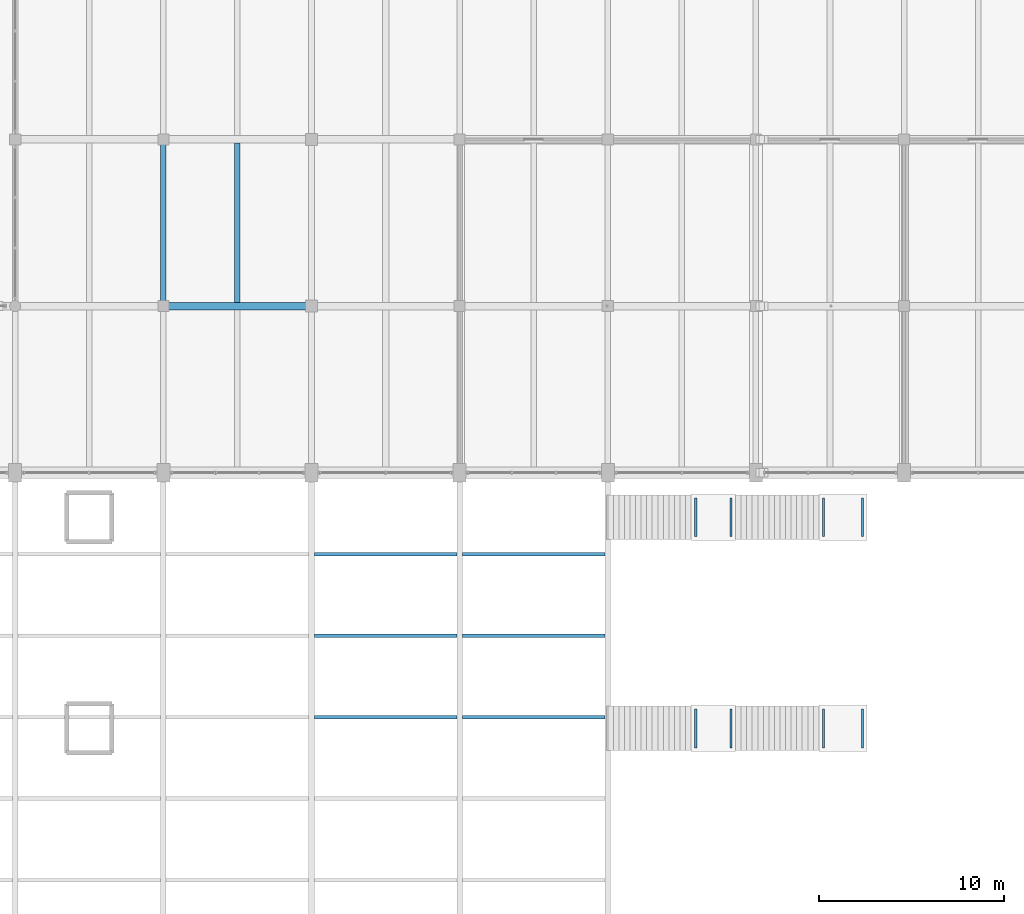
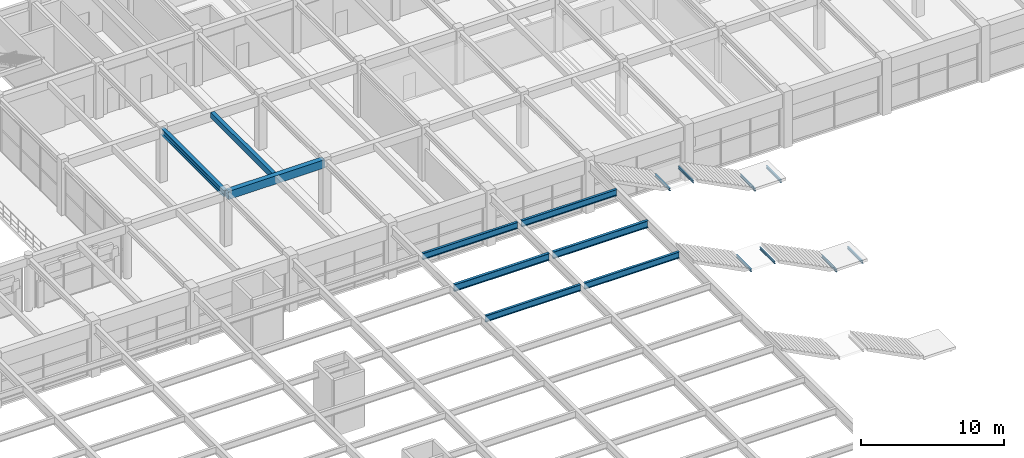
# One storey, part 60 of 144: 17 beams.
"""IFC4 building model written with IfcOpenShell, lengths in metres."""

from ifc_helpers import new_model, si_unit, direction, frame, origin, origin_2d, place, context, subcontext, project, spatial, rectangle, i_section, extrude, material, material_profile, profile_set, type_object, element, save


model = new_model("IFC4")

# Units and contexts
model_context = context("Model", 3, precision=1e-05, world=origin(), true_north=direction((0.0, 1.0)))
body_context = subcontext(model_context, "Body", "Model", "MODEL_VIEW")
ifc_project = project(units=[si_unit("LENGTHUNIT", "METRE"), si_unit("AREAUNIT", "SQUARE_METRE"), si_unit("VOLUMEUNIT", "CUBIC_METRE"), si_unit("PLANEANGLEUNIT", "RADIAN"), si_unit("MASSUNIT", "GRAM", prefix="KILO")], contexts=[model_context])

# Site, building, storey
site_placement = place(None, origin())
site = spatial("IfcSite", under=ifc_project, at=site_placement, CompositionType="ELEMENT")
building_placement = place(site_placement, origin())
building = spatial("IfcBuilding", under=site, at=building_placement, Name="Varnabhumi Central Station", CompositionType="ELEMENT")
storey_placement = place(building_placement, frame((0.0, 0.0, 4.800048828125)))
storey = spatial("IfcBuildingStorey", under=building, at=storey_placement, Name="L01", CompositionType="ELEMENT", Elevation=4.800048828125)

# Beams
ifc_material_1 = material(Name="Structural steel E350", Category="steel")
ifc_material_profile_1 = material_profile(ifc_material_1, i_section(OverallWidth=0.18994140625, OverallDepth=0.550048828125, WebThickness=0.01123046875, FlangeThickness=0.019287109375, FilletRadius=0.01806640625, at=origin_2d()), Name="Structural steel E350", Category="steel")
ifc_profile_set_1 = profile_set([ifc_material_profile_1], Name="Structural steel E350")
beam_type_1 = type_object("IfcBeamType", Name="BM-JST-ISMB550", PredefinedType="JOIST", material=ifc_profile_set_1)
for number, where, z_axis, x_axis, name in (
    (1, (96.155029296875, 66.800048828125, 4.204833984375), (1.0, 0.0, 0.0), (0.0, 1.0, 0.0), "Concourse Stringer 13-14-S7"),
    (2, (96.155029296875, 75.60009765625, 4.204833984375), (1.0, 0.0, 0.0), (0.0, 1.0, 0.0), "Concourse Stringer 13-14-S9"),
    (3, (104.155029296875, 66.800048828125, 4.204833984375), (1.0, 0.0, 0.0), (0.0, 1.0, 0.0), "Concourse Stringer 14-15-S7"),
    (4, (104.155029296875, 75.60009765625, 4.204833984375), (1.0, 0.0, 0.0), (0.0, 1.0, 0.0), "Concourse Stringer 14-15-S9"),
):
    element("IfcBeam", number, at=place(storey_placement, frame(where, z_axis=z_axis, x_axis=x_axis)), inside=storey, type_object=beam_type_1, Name=name, PredefinedType="JOIST", context=body_context, shape_type="SweptSolid", body=[
        extrude(i_section(OverallWidth=0.18994140625, OverallDepth=0.550048828125, WebThickness=0.01123046875, FlangeThickness=0.019287109375, FilletRadius=0.01806640625, at=origin_2d()), origin(), (0.0, 0.0, 1.0), 7.68994140625),
    ])
ifc_material_profile_2 = material_profile(ifc_material_1, i_section(OverallWidth=0.2099609375, OverallDepth=0.60009765625, WebThickness=0.011962890625, FlangeThickness=0.020751953125, FilletRadius=0.02001953125, at=origin_2d()), Name="Structural steel E350", Category="steel")
ifc_profile_set_2 = profile_set([ifc_material_profile_2], Name="Structural steel E350")
beam_type_2 = type_object("IfcBeamType", Name="BM-JST-ISMB600", PredefinedType="JOIST", material=ifc_profile_set_2)
for number, where, z_axis, x_axis, name in (
    (5, (96.155029296875, 71.199951171875, 4.179931640625), (1.0, 0.0, 0.0), (0.0, 1.0, 0.0), "Concourse Stringer 13-14-S8"),
    (6, (104.155029296875, 71.199951171875, 4.179931640625), (1.0, 0.0, 0.0), (0.0, 1.0, 0.0), "Concourse Stringer 14-15-S8"),
):
    element("IfcBeam", number, at=place(storey_placement, frame(where, z_axis=z_axis, x_axis=x_axis)), inside=storey, type_object=beam_type_2, Name=name, PredefinedType="JOIST", context=body_context, shape_type="SweptSolid", body=[
        extrude(i_section(OverallWidth=0.2099609375, OverallDepth=0.60009765625, WebThickness=0.011962890625, FlangeThickness=0.020751953125, FilletRadius=0.02001953125, at=origin_2d()), origin(), (0.0, 0.0, 1.0), 7.68994140625),
    ])
ifc_material_2 = material(Name="Concrete M40", Category="concrete")
ifc_material_profile_3 = material_profile(ifc_material_2, rectangle(XDim=0.300048828125, YDim=0.5, at=origin_2d()), Name="Concrete M40", Category="concrete")
ifc_profile_set_3 = profile_set([ifc_material_profile_3], Name="Concrete M40")
beam_type_3 = type_object("IfcBeamType", Name="BM-RC-300x500", PredefinedType="JOIST", material=ifc_profile_set_3)
beam_1_placement = place(storey_placement, frame((92.0, 89.199951171875, 4.300048828125), z_axis=(0.0, 1.0, 0.0), x_axis=(-1.0, 0.0, 0.0)))
element("IfcBeam", 7, at=beam_1_placement, inside=storey, type_object=beam_type_3, Name="Secondary Joist L01-12/13:L-M", PredefinedType="JOIST", context=body_context, shape_type="SweptSolid", body=[
    extrude(rectangle(XDim=0.300048828125, YDim=0.5, at=origin_2d()), origin(), (0.0, 0.0, 1.0), 8.60009765625),
])
ifc_material_profile_4 = material_profile(ifc_material_2, rectangle(XDim=0.39990234375, YDim=0.699951171875, at=origin_2d()), Name="Concrete M40", Category="concrete")
ifc_profile_set_4 = profile_set([ifc_material_profile_4], Name="Concrete M40")
beam_type_4 = type_object("IfcBeamType", Name="BM-RC-400x700", PredefinedType="BEAM", material=ifc_profile_set_4)
beam_2_placement = place(storey_placement, frame((88.10009765625, 89.0, 4.199951171875), z_axis=(1.0, 0.0, 0.0), x_axis=(0.0, 1.0, 0.0)))
element("IfcBeam", 8, at=beam_2_placement, inside=storey, type_object=beam_type_4, Name="Beam L01-L:12-13", PredefinedType="BEAM", context=body_context, shape_type="SweptSolid", body=[
    extrude(rectangle(XDim=0.39990234375, YDim=0.699951171875, at=origin_2d()), origin(), (0.0, 0.0, 1.0), 7.7998046875),
])
ifc_material_profile_5 = material_profile(ifc_material_1, i_section(OverallWidth=0.110107421875, OverallDepth=0.22509765625, WebThickness=0.006591796875, FlangeThickness=0.01171875, FilletRadius=0.011962890625, at=origin_2d()), Name="Structural steel E350", Category="steel")
ifc_profile_set_5 = profile_set([ifc_material_profile_5], Name="Structural steel E350")
beam_type_5 = type_object("IfcBeamType", Name="BM-STL-ISMB225", PredefinedType="JOIST", material=ifc_profile_set_5)
for number, where, z_axis, x_axis, name in (
    (9, (123.64990234375, 65.14990234375, -0.33251953125), (0.0, 1.0, 0.0), (-1.0, 0.0, 0.0), "Stair Landing Beam P3-p3_l1xfer-1"),
    (10, (125.75, 65.14990234375, -0.33251953125), (0.0, 1.0, 0.0), (-1.0, 0.0, 0.0), "Stair Landing Beam P3-p3_l1xfer-2"),
    (11, (116.75, 65.14990234375, 2.107421875), (0.0, 1.0, 0.0), (-1.0, 0.0, 0.0), "Stair Landing Beam P3-p3_l1mid-1"),
    (12, (118.64990234375, 65.14990234375, 2.107421875), (0.0, 1.0, 0.0), (-1.0, 0.0, 0.0), "Stair Landing Beam P3-p3_l1mid-2"),
):
    element("IfcBeam", number, at=place(storey_placement, frame(where, z_axis=z_axis, x_axis=x_axis)), inside=storey, type_object=beam_type_5, Name=name, PredefinedType="JOIST", context=body_context, shape_type="SweptSolid", body=[
        extrude(i_section(OverallWidth=0.110107421875, OverallDepth=0.22509765625, WebThickness=0.006591796875, FlangeThickness=0.01171875, FilletRadius=0.011962890625, at=origin_2d()), origin(), (0.0, 0.0, 1.0), 2.10009765625),
    ])
for number, where, z_axis, x_axis, name in (
    (13, (123.64990234375, 76.550048828125, -0.33251953125), (0.0, 1.0, 0.0), (-1.0, 0.0, 0.0), "Stair Landing Beam P4-p4_l1xfer-1"),
    (14, (125.75, 76.550048828125, -0.33251953125), (0.0, 1.0, 0.0), (-1.0, 0.0, 0.0), "Stair Landing Beam P4-p4_l1xfer-2"),
    (15, (116.75, 76.550048828125, 2.107421875), (0.0, 1.0, 0.0), (-1.0, 0.0, 0.0), "Stair Landing Beam P4-p4_l1mid-1"),
    (16, (118.64990234375, 76.550048828125, 2.107421875), (0.0, 1.0, 0.0), (-1.0, 0.0, 0.0), "Stair Landing Beam P4-p4_l1mid-2"),
):
    element("IfcBeam", number, at=place(storey_placement, frame(where, z_axis=z_axis, x_axis=x_axis)), inside=storey, type_object=beam_type_5, Name=name, PredefinedType="JOIST", context=body_context, shape_type="SweptSolid", body=[
        extrude(i_section(OverallWidth=0.110107421875, OverallDepth=0.22509765625, WebThickness=0.006591796875, FlangeThickness=0.01171875, FilletRadius=0.011962890625, at=origin_2d()), origin(), (0.0, 0.0, 1.0), 2.099853515625),
    ])
ifc_material_profile_6 = material_profile(ifc_material_1, i_section(OverallWidth=0.300048828125, OverallDepth=0.550048828125, WebThickness=0.014892578125, FlangeThickness=0.029052734375, FilletRadius=0.027099609375, at=origin_2d()), Name="Structural steel E350", Category="steel")
ifc_profile_set_6 = profile_set([ifc_material_profile_6], Name="Structural steel E350")
beam_type_6 = type_object("IfcBeamType", Name="BM-STL-WPB550", PredefinedType="BEAM", material=ifc_profile_set_6)
beam_3_placement = place(storey_placement, frame((88.0, 89.10009765625, 4.27490234375), z_axis=(0.0, 1.0, 0.0), x_axis=(-1.0, 0.0, 0.0)))
element("IfcBeam", 17, at=beam_3_placement, inside=storey, type_object=beam_type_6, Name="Beam L01-12:L-M", PredefinedType="BEAM", context=body_context, shape_type="SweptSolid", body=[
    extrude(i_section(OverallWidth=0.300048828125, OverallDepth=0.550048828125, WebThickness=0.014892578125, FlangeThickness=0.029052734375, FilletRadius=0.027099609375, at=origin_2d()), origin(), (0.0, 0.0, 1.0), 8.7998046875),
])

save(model, "model.ifc")
